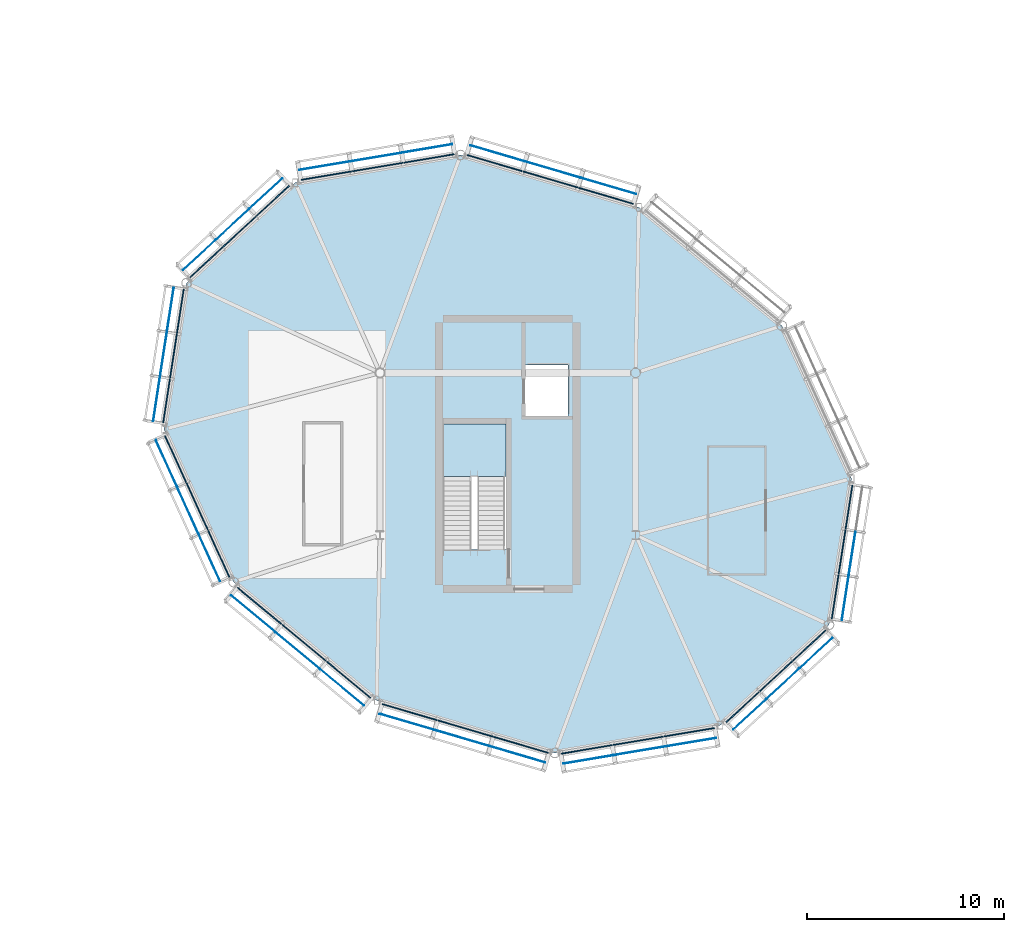
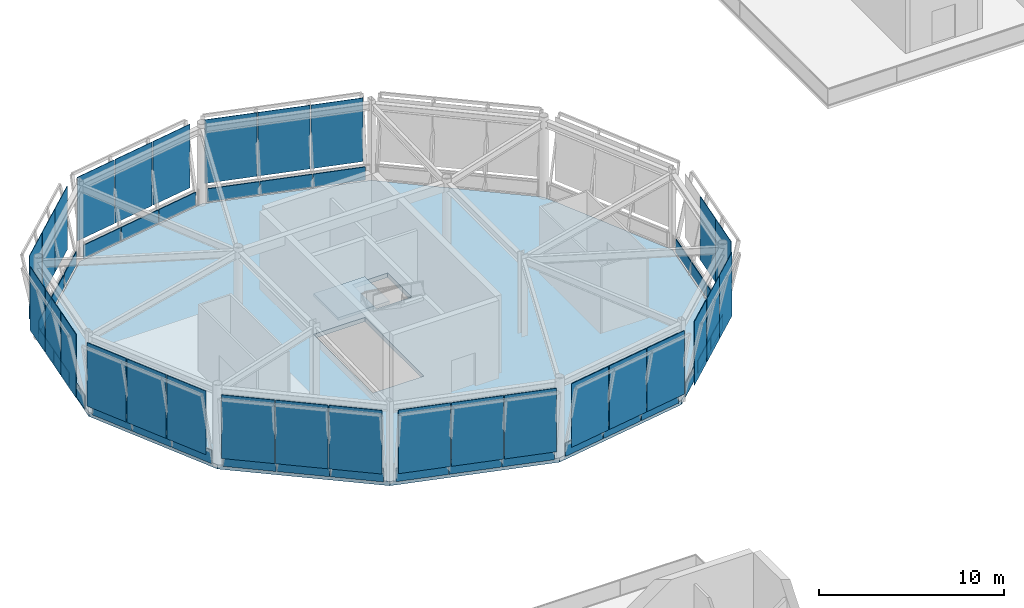
# One storey, part 63 of 90: 59 plates, 2 slabs, 11 elements without a shape of their own.
"""IFC4 building model written with IfcOpenShell, lengths in metres."""

from ifc_helpers import new_model, si_unit, direction, frame, origin, origin_2d, place, context, subcontext, project, spatial, polyline, rectangle, outline, extrude, material, layer, layer_set, type_object, element, aggregate, save


model = new_model("IFC4")

# Units and contexts
model_context = context("Model", 3, precision=1e-05, world=origin(), true_north=direction((0.0, 1.0)))
body_context = subcontext(model_context, "Body", "Model", "MODEL_VIEW")
ifc_project = project(units=[si_unit("LENGTHUNIT", "METRE"), si_unit("AREAUNIT", "SQUARE_METRE"), si_unit("VOLUMEUNIT", "CUBIC_METRE"), si_unit("PLANEANGLEUNIT", "RADIAN"), si_unit("MASSUNIT", "GRAM", prefix="KILO")], contexts=[model_context])

# Site, building, storey
site_placement = place(None, origin())
site = spatial("IfcSite", under=ifc_project, at=site_placement, CompositionType="ELEMENT")
building_placement = place(site_placement, origin())
building = spatial("IfcBuilding", under=site, at=building_placement, Name="Linyun Crest Stadium", CompositionType="ELEMENT")
storey_placement = place(building_placement, frame((0.0, 0.0, 21.0)))
storey = spatial("IfcBuildingStorey", under=building, at=storey_placement, Name="L05", CompositionType="ELEMENT", Elevation=21.0)

# Slab
ifc_material_1 = material(Name="Concrete C40", Category="concrete")
ifc_layer_1 = layer(ifc_material_1, 0.280029296875)
ifc_layer_set_1 = layer_set([ifc_layer_1], Name="Concrete C40")
slab_type_1 = type_object("IfcSlabType", Name="FS05", PredefinedType="FLOOR", material=ifc_layer_set_1)
slab_1_placement = place(storey_placement, frame((0.0, 0.0, -0.280029296875)))
element("IfcSlab", 1, at=slab_1_placement, inside=storey, type_object=slab_type_1, Name="Slab FS05 V5 L05 51", PredefinedType="FLOOR", context=body_context, shape_type="SweptSolid", body=[
    extrude(outline(polyline([(-57.1650390625, 75.93994140625), (-56.02099609375, 83.3720703125), (-59.55908203125, 91.139892578125), (-66.833984375, 97.1630859375), (-75.89404296875, 99.825927734375), (-84.31298828125, 98.416015625), (-89.8349609375, 93.31005859375), (-90.97900390625, 85.8779296875), (-87.44091796875, 78.110107421875), (-80.166015625, 72.0869140625), (-71.10595703125, 69.424072265625), (-62.68701171875, 70.833984375), (-57.1650390625, 75.93994140625)]), holes=[polyline([(-76.800048828125, 79.77001953125), (-76.800048828125, 86.14990234375), (-73.60009765625, 86.14990234375), (-73.60009765625, 79.77001953125), (-76.800048828125, 79.77001953125)]), polyline([(-72.64990234375, 86.550048828125), (-72.64990234375, 89.14990234375), (-70.449951171875, 89.14990234375), (-70.449951171875, 86.550048828125), (-72.64990234375, 86.550048828125)])]), origin(), (0.0, 0.0, 1.0), 0.280029296875),
])

# Curtain wall, plates
ifc_material_2 = material(Name="Verdigris steel and low-E curtain wall assembly", Category="steel")
curtain_wall_type = type_object("IfcCurtainWallType", Name="MCW04", PredefinedType="NOTDEFINED", material=ifc_material_2)
curtain_wall_1_placement = place(storey_placement, origin())
curtain_wall_1 = element("IfcCurtainWall", 2, at=curtain_wall_1_placement, inside=storey, type_object=curtain_wall_type, Name="CWR-013", PredefinedType="NOTDEFINED")
ifc_material_3 = material(Name="Acoustic laminated low-E broadcast glass", Category="glass")
ifc_layer_2 = layer(ifc_material_3, 0.030029296875)
ifc_layer_set_2 = layer_set([ifc_layer_2], Name="Acoustic laminated low-E broadcast glass")
plate_type_1 = type_object("IfcPlateType", Name="GP02", PredefinedType="CURTAIN_PANEL", material=ifc_layer_set_2)
plate_1_placement = place(storey_placement, frame((-56.343994140625, 77.283935546875, 0.88232421875), z_axis=(0.0, 0.0, 1.0), x_axis=(0.152054385169, 0.988372128275, 0.0)))
plate_1 = element("IfcPlate", 3, at=plate_1_placement, type_object=plate_type_1, Name="CWR-013 panel 1.2", PredefinedType="CURTAIN_PANEL", context=body_context, shape_type="SweptSolid", body=[
    extrude(rectangle(XDim=2.256103515625, YDim=0.030029296875, at=origin_2d()), origin(), (0.0, 0.0, 1.0), 4.1953125),
])
plate_2_placement = place(storey_placement, frame((-55.993896484375, 79.56396484375, 0.88232421875), z_axis=(0.0, 0.0, 1.0), x_axis=(0.152054385169, 0.988372128275, 0.0)))
plate_2 = element("IfcPlate", 4, at=plate_2_placement, type_object=plate_type_1, Name="CWR-013 panel 2.2", PredefinedType="CURTAIN_PANEL", context=body_context, shape_type="SweptSolid", body=[
    extrude(rectangle(XDim=2.256103515625, YDim=0.030029296875, at=origin_2d()), origin(), (0.0, 0.0, 1.0), 4.1953125),
])

curtain_wall_2_placement = place(storey_placement, origin())
curtain_wall_2 = element("IfcCurtainWall", 5, at=curtain_wall_2_placement, inside=storey, type_object=curtain_wall_type, Name="CWR-016", PredefinedType="NOTDEFINED")
plate_3_placement = place(storey_placement, frame((-68.364990234375, 98.2451171875, 0.88232421875), z_axis=(0.0, 0.0, 1.0), x_axis=(-0.959437077917, 0.281922850294, 0.0)))
plate_3 = element("IfcPlate", 6, at=plate_3_placement, type_object=plate_type_1, Name="CWR-016 panel 1.2", PredefinedType="CURTAIN_PANEL", context=body_context, shape_type="SweptSolid", body=[
    extrude(rectangle(XDim=2.897705078125, YDim=0.030029296875, at=origin_2d()), origin(), (0.0, 0.0, 1.0), 4.1953125),
])
plate_4_placement = place(storey_placement, frame((-71.193115234375, 99.075927734375, 0.88232421875), z_axis=(0.0, 0.0, 1.0), x_axis=(-0.959437077917, 0.281922850294, 0.0)))
plate_4 = element("IfcPlate", 7, at=plate_4_placement, type_object=plate_type_1, Name="CWR-016 panel 2.2", PredefinedType="CURTAIN_PANEL", context=body_context, shape_type="SweptSolid", body=[
    extrude(rectangle(XDim=2.897705078125, YDim=0.030029296875, at=origin_2d()), origin(), (0.0, 0.0, 1.0), 4.1953125),
])
plate_5_placement = place(storey_placement, frame((-74.02099609375, 99.906982421875, 0.88232421875), z_axis=(0.0, 0.0, 1.0), x_axis=(-0.959437077917, 0.281922850294, 0.0)))
plate_5 = element("IfcPlate", 8, at=plate_5_placement, type_object=plate_type_1, Name="CWR-016 panel 3.2", PredefinedType="CURTAIN_PANEL", context=body_context, shape_type="SweptSolid", body=[
    extrude(rectangle(XDim=2.897705078125, YDim=0.030029296875, at=origin_2d()), origin(), (0.0, 0.0, 1.0), 4.1953125),
])

curtain_wall_3_placement = place(storey_placement, origin())
curtain_wall_3 = element("IfcCurtainWall", 9, at=curtain_wall_3_placement, inside=storey, type_object=curtain_wall_type, Name="CWR-017", PredefinedType="NOTDEFINED")
plate_6_placement = place(storey_placement, frame((-77.594970703125, 100.156005859375, 0.88232421875), z_axis=(0.0, 0.0, 1.0), x_axis=(-0.986282720763, -0.165064819767, 0.0)))
plate_6 = element("IfcPlate", 10, at=plate_6_placement, type_object=plate_type_1, Name="CWR-017 panel 1.2", PredefinedType="CURTAIN_PANEL", context=body_context, shape_type="SweptSolid", body=[
    extrude(rectangle(XDim=2.59521484375, YDim=0.030029296875, at=origin_2d()), origin(), (0.0, 0.0, 1.0), 4.1953125),
])
plate_7_placement = place(storey_placement, frame((-80.2041015625, 99.718994140625, 0.88232421875), z_axis=(0.0, 0.0, 1.0), x_axis=(-0.986282720763, -0.165064819767, 0.0)))
plate_7 = element("IfcPlate", 11, at=plate_7_placement, type_object=plate_type_1, Name="CWR-017 panel 2.2", PredefinedType="CURTAIN_PANEL", context=body_context, shape_type="SweptSolid", body=[
    extrude(rectangle(XDim=2.59521484375, YDim=0.030029296875, at=origin_2d()), origin(), (0.0, 0.0, 1.0), 4.1953125),
])
plate_8_placement = place(storey_placement, frame((-82.81298828125, 99.281982421875, 0.88232421875), z_axis=(0.0, 0.0, 1.0), x_axis=(-0.986282720763, -0.165064819767, 0.0)))
plate_8 = element("IfcPlate", 12, at=plate_8_placement, type_object=plate_type_1, Name="CWR-017 panel 3.2", PredefinedType="CURTAIN_PANEL", context=body_context, shape_type="SweptSolid", body=[
    extrude(rectangle(XDim=2.59521484375, YDim=0.030029296875, at=origin_2d()), origin(), (0.0, 0.0, 1.0), 4.1953125),
])

curtain_wall_4_placement = place(storey_placement, origin())
curtain_wall_4 = element("IfcCurtainWall", 13, at=curtain_wall_4_placement, inside=storey, type_object=curtain_wall_type, Name="CWR-018", PredefinedType="NOTDEFINED")
plate_9_placement = place(storey_placement, frame((-85.7919921875, 97.8740234375, 0.88232421875), z_axis=(0.0, 0.0, 1.0), x_axis=(-0.734298814372, -0.678826377811, 0.0)))
plate_9 = element("IfcPlate", 14, at=plate_9_placement, type_object=plate_type_1, Name="CWR-018 panel 1.2", PredefinedType="CURTAIN_PANEL", context=body_context, shape_type="SweptSolid", body=[
    extrude(rectangle(XDim=2.2568359375, YDim=0.030029296875, at=origin_2d()), origin(), (0.0, 0.0, 1.0), 4.1953125),
])
plate_10_placement = place(storey_placement, frame((-87.486083984375, 96.30810546875, 0.88232421875), z_axis=(0.0, 0.0, 1.0), x_axis=(-0.734298814372, -0.678826377811, 0.0)))
plate_10 = element("IfcPlate", 15, at=plate_10_placement, type_object=plate_type_1, Name="CWR-018 panel 2.2", PredefinedType="CURTAIN_PANEL", context=body_context, shape_type="SweptSolid", body=[
    extrude(rectangle(XDim=2.2568359375, YDim=0.030029296875, at=origin_2d()), origin(), (0.0, 0.0, 1.0), 4.1953125),
])
plate_11_placement = place(storey_placement, frame((-89.179931640625, 94.741943359375, 0.88232421875), z_axis=(0.0, 0.0, 1.0), x_axis=(-0.734298814372, -0.678826377811, 0.0)))
plate_11 = element("IfcPlate", 16, at=plate_11_placement, type_object=plate_type_1, Name="CWR-018 panel 3.2", PredefinedType="CURTAIN_PANEL", context=body_context, shape_type="SweptSolid", body=[
    extrude(rectangle(XDim=2.2568359375, YDim=0.030029296875, at=origin_2d()), origin(), (0.0, 0.0, 1.0), 4.1953125),
])

curtain_wall_5_placement = place(storey_placement, origin())
curtain_wall_5 = element("IfcCurtainWall", 17, at=curtain_wall_5_placement, inside=storey, type_object=curtain_wall_type, Name="CWR-019", PredefinedType="NOTDEFINED")
plate_12_placement = place(storey_placement, frame((-90.656005859375, 91.966064453125, 0.88232421875), z_axis=(0.0, 0.0, 1.0), x_axis=(-0.152054385169, -0.988372128275, 0.0)))
plate_12 = element("IfcPlate", 18, at=plate_12_placement, type_object=plate_type_1, Name="CWR-019 panel 1.2", PredefinedType="CURTAIN_PANEL", context=body_context, shape_type="SweptSolid", body=[
    extrude(rectangle(XDim=2.256103515625, YDim=0.030029296875, at=origin_2d()), origin(), (0.0, 0.0, 1.0), 4.1953125),
])
plate_13_placement = place(storey_placement, frame((-91.006103515625, 89.68603515625, 0.88232421875), z_axis=(0.0, 0.0, 1.0), x_axis=(-0.152054385169, -0.988372128275, 0.0)))
plate_13 = element("IfcPlate", 19, at=plate_13_placement, type_object=plate_type_1, Name="CWR-019 panel 2.2", PredefinedType="CURTAIN_PANEL", context=body_context, shape_type="SweptSolid", body=[
    extrude(rectangle(XDim=2.256103515625, YDim=0.030029296875, at=origin_2d()), origin(), (0.0, 0.0, 1.0), 4.1953125),
])
plate_14_placement = place(storey_placement, frame((-91.35693359375, 87.406982421875, 0.88232421875), z_axis=(0.0, 0.0, 1.0), x_axis=(-0.152054385169, -0.988372128275, 0.0)))
plate_14 = element("IfcPlate", 20, at=plate_14_placement, type_object=plate_type_1, Name="CWR-019 panel 3.2", PredefinedType="CURTAIN_PANEL", context=body_context, shape_type="SweptSolid", body=[
    extrude(rectangle(XDim=2.256103515625, YDim=0.030029296875, at=origin_2d()), origin(), (0.0, 0.0, 1.0), 4.1953125),
])

curtain_wall_6_placement = place(storey_placement, origin())
curtain_wall_6 = element("IfcCurtainWall", 21, at=curtain_wall_6_placement, inside=storey, type_object=curtain_wall_type, Name="CWR-020", PredefinedType="NOTDEFINED")
plate_15_placement = place(storey_placement, frame((-90.85791015625, 84.14990234375, 0.88232421875), z_axis=(0.0, 0.0, 1.0), x_axis=(0.414566184052, -0.910019164106, 0.0)))
plate_15 = element("IfcPlate", 22, at=plate_15_placement, type_object=plate_type_1, Name="CWR-020 panel 1.2", PredefinedType="CURTAIN_PANEL", context=body_context, shape_type="SweptSolid", body=[
    extrude(rectangle(XDim=2.595458984375, YDim=0.030029296875, at=origin_2d()), origin(), (0.0, 0.0, 1.0), 4.1953125),
])
plate_16_placement = place(storey_placement, frame((-89.761962890625, 81.742919921875, 0.88232421875), z_axis=(0.0, 0.0, 1.0), x_axis=(0.414566184052, -0.910019164106, 0.0)))
plate_16 = element("IfcPlate", 23, at=plate_16_placement, type_object=plate_type_1, Name="CWR-020 panel 2.2", PredefinedType="CURTAIN_PANEL", context=body_context, shape_type="SweptSolid", body=[
    extrude(rectangle(XDim=2.595458984375, YDim=0.030029296875, at=origin_2d()), origin(), (0.0, 0.0, 1.0), 4.1953125),
])
plate_17_placement = place(storey_placement, frame((-88.6650390625, 79.3349609375, 0.88232421875), z_axis=(0.0, 0.0, 1.0), x_axis=(0.414566184052, -0.910019164106, 0.0)))
plate_17 = element("IfcPlate", 24, at=plate_17_placement, type_object=plate_type_1, Name="CWR-020 panel 3.2", PredefinedType="CURTAIN_PANEL", context=body_context, shape_type="SweptSolid", body=[
    extrude(rectangle(XDim=2.595458984375, YDim=0.030029296875, at=origin_2d()), origin(), (0.0, 0.0, 1.0), 4.1953125),
])

curtain_wall_7_placement = place(storey_placement, origin())
curtain_wall_7 = element("IfcCurtainWall", 25, at=curtain_wall_7_placement, inside=storey, type_object=curtain_wall_type, Name="CWR-021", PredefinedType="NOTDEFINED")
plate_18_placement = place(storey_placement, frame((-86.4609375, 76.511962890625, 0.88232421875), z_axis=(0.0, 0.0, 1.0), x_axis=(0.77024617165, -0.637746685651, 0.0)))
plate_18 = element("IfcPlate", 26, at=plate_18_placement, type_object=plate_type_1, Name="CWR-021 panel 1.2", PredefinedType="CURTAIN_PANEL", context=body_context, shape_type="SweptSolid", body=[
    extrude(rectangle(XDim=2.8984375, YDim=0.030029296875, at=origin_2d()), origin(), (0.0, 0.0, 1.0), 4.1953125),
])
plate_19_placement = place(storey_placement, frame((-84.18994140625, 74.632080078125, 0.88232421875), z_axis=(0.0, 0.0, 1.0), x_axis=(0.77024617165, -0.637746685651, 0.0)))
plate_19 = element("IfcPlate", 27, at=plate_19_placement, type_object=plate_type_1, Name="CWR-021 panel 2.2", PredefinedType="CURTAIN_PANEL", context=body_context, shape_type="SweptSolid", body=[
    extrude(rectangle(XDim=2.8984375, YDim=0.030029296875, at=origin_2d()), origin(), (0.0, 0.0, 1.0), 4.1953125),
])
plate_20_placement = place(storey_placement, frame((-81.9189453125, 72.7509765625, 0.88232421875), z_axis=(0.0, 0.0, 1.0), x_axis=(0.77024617165, -0.637746685651, 0.0)))
plate_20 = element("IfcPlate", 28, at=plate_20_placement, type_object=plate_type_1, Name="CWR-021 panel 3.2", PredefinedType="CURTAIN_PANEL", context=body_context, shape_type="SweptSolid", body=[
    extrude(rectangle(XDim=2.8984375, YDim=0.030029296875, at=origin_2d()), origin(), (0.0, 0.0, 1.0), 4.1953125),
])

curtain_wall_8_placement = place(storey_placement, origin())
curtain_wall_8 = element("IfcCurtainWall", 29, at=curtain_wall_8_placement, inside=storey, type_object=curtain_wall_type, Name="CWR-022", PredefinedType="NOTDEFINED")
plate_21_placement = place(storey_placement, frame((-78.635009765625, 71.0048828125, 0.88232421875), z_axis=(0.0, 0.0, 1.0), x_axis=(0.959437077917, -0.281922850294, 0.0)))
plate_21 = element("IfcPlate", 30, at=plate_21_placement, type_object=plate_type_1, Name="CWR-022 panel 1.2", PredefinedType="CURTAIN_PANEL", context=body_context, shape_type="SweptSolid", body=[
    extrude(rectangle(XDim=2.897705078125, YDim=0.030029296875, at=origin_2d()), origin(), (0.0, 0.0, 1.0), 4.1953125),
])
plate_22_placement = place(storey_placement, frame((-75.806884765625, 70.174072265625, 0.88232421875), z_axis=(0.0, 0.0, 1.0), x_axis=(0.959437077917, -0.281922850294, 0.0)))
plate_22 = element("IfcPlate", 31, at=plate_22_placement, type_object=plate_type_1, Name="CWR-022 panel 2.2", PredefinedType="CURTAIN_PANEL", context=body_context, shape_type="SweptSolid", body=[
    extrude(rectangle(XDim=2.897705078125, YDim=0.030029296875, at=origin_2d()), origin(), (0.0, 0.0, 1.0), 4.1953125),
])
plate_23_placement = place(storey_placement, frame((-72.97900390625, 69.343017578125, 0.88232421875), z_axis=(0.0, 0.0, 1.0), x_axis=(0.959437077917, -0.281922850294, 0.0)))
plate_23 = element("IfcPlate", 32, at=plate_23_placement, type_object=plate_type_1, Name="CWR-022 panel 3.2", PredefinedType="CURTAIN_PANEL", context=body_context, shape_type="SweptSolid", body=[
    extrude(rectangle(XDim=2.897705078125, YDim=0.030029296875, at=origin_2d()), origin(), (0.0, 0.0, 1.0), 4.1953125),
])

curtain_wall_9_placement = place(storey_placement, origin())
curtain_wall_9 = element("IfcCurtainWall", 33, at=curtain_wall_9_placement, inside=storey, type_object=curtain_wall_type, Name="CWR-023", PredefinedType="NOTDEFINED")
plate_24_placement = place(storey_placement, frame((-69.405029296875, 69.093994140625, 0.88232421875), z_axis=(0.0, 0.0, 1.0), x_axis=(0.986282720763, 0.165064819767, 0.0)))
plate_24 = element("IfcPlate", 34, at=plate_24_placement, type_object=plate_type_1, Name="CWR-023 panel 1.2", PredefinedType="CURTAIN_PANEL", context=body_context, shape_type="SweptSolid", body=[
    extrude(rectangle(XDim=2.59521484375, YDim=0.030029296875, at=origin_2d()), origin(), (0.0, 0.0, 1.0), 4.1953125),
])
plate_25_placement = place(storey_placement, frame((-66.7958984375, 69.531005859375, 0.88232421875), z_axis=(0.0, 0.0, 1.0), x_axis=(0.986282720763, 0.165064819767, 0.0)))
plate_25 = element("IfcPlate", 35, at=plate_25_placement, type_object=plate_type_1, Name="CWR-023 panel 2.2", PredefinedType="CURTAIN_PANEL", context=body_context, shape_type="SweptSolid", body=[
    extrude(rectangle(XDim=2.59521484375, YDim=0.030029296875, at=origin_2d()), origin(), (0.0, 0.0, 1.0), 4.1953125),
])
plate_26_placement = place(storey_placement, frame((-64.18701171875, 69.968017578125, 0.88232421875), z_axis=(0.0, 0.0, 1.0), x_axis=(0.986282720763, 0.165064819767, 0.0)))
plate_26 = element("IfcPlate", 36, at=plate_26_placement, type_object=plate_type_1, Name="CWR-023 panel 3.2", PredefinedType="CURTAIN_PANEL", context=body_context, shape_type="SweptSolid", body=[
    extrude(rectangle(XDim=2.59521484375, YDim=0.030029296875, at=origin_2d()), origin(), (0.0, 0.0, 1.0), 4.1953125),
])

curtain_wall_10_placement = place(storey_placement, origin())
curtain_wall_10 = element("IfcCurtainWall", 37, at=curtain_wall_10_placement, inside=storey, type_object=curtain_wall_type, Name="CWR-024", PredefinedType="NOTDEFINED")
plate_27_placement = place(storey_placement, frame((-61.2080078125, 71.3759765625, 0.88232421875), z_axis=(0.0, 0.0, 1.0), x_axis=(0.734298814372, 0.678826377811, 0.0)))
plate_27 = element("IfcPlate", 38, at=plate_27_placement, type_object=plate_type_1, Name="CWR-024 panel 1.2", PredefinedType="CURTAIN_PANEL", context=body_context, shape_type="SweptSolid", body=[
    extrude(rectangle(XDim=2.2568359375, YDim=0.030029296875, at=origin_2d()), origin(), (0.0, 0.0, 1.0), 4.1953125),
])
plate_28_placement = place(storey_placement, frame((-59.513916015625, 72.94189453125, 0.88232421875), z_axis=(0.0, 0.0, 1.0), x_axis=(0.734298814372, 0.678826377811, 0.0)))
plate_28 = element("IfcPlate", 39, at=plate_28_placement, type_object=plate_type_1, Name="CWR-024 panel 2.2", PredefinedType="CURTAIN_PANEL", context=body_context, shape_type="SweptSolid", body=[
    extrude(rectangle(XDim=2.2568359375, YDim=0.030029296875, at=origin_2d()), origin(), (0.0, 0.0, 1.0), 4.1953125),
])
plate_29_placement = place(storey_placement, frame((-57.820068359375, 74.508056640625, 0.88232421875), z_axis=(0.0, 0.0, 1.0), x_axis=(0.734298814372, 0.678826377811, 0.0)))
plate_29 = element("IfcPlate", 40, at=plate_29_placement, type_object=plate_type_1, Name="CWR-024 panel 3.2", PredefinedType="CURTAIN_PANEL", context=body_context, shape_type="SweptSolid", body=[
    extrude(rectangle(XDim=2.2568359375, YDim=0.030029296875, at=origin_2d()), origin(), (0.0, 0.0, 1.0), 4.1953125),
])

# Stair, slab
ifc_material_4 = material(Name="Concrete C40", Category="concrete")
stair_type = type_object("IfcStairType", Name="STA02", PredefinedType="HALF_TURN_STAIR", material=ifc_material_4)
stair_placement = place(storey_placement, origin())
stair = element("IfcStair", 41, at=stair_placement, inside=storey, type_object=stair_type, Name="Evacuation stair STR-11-L05", PredefinedType="HALF_TURN_STAIR")
ifc_material_5 = material(Name="Concrete C40", Category="concrete")
ifc_layer_3 = layer(ifc_material_5, 0.179931640625)
ifc_layer_set_3 = layer_set([ifc_layer_3], Name="Concrete C40")
slab_type_2 = type_object("IfcSlabType", Name="LS01", PredefinedType="LANDING", material=ifc_layer_set_3)
slab_2_placement = place(storey_placement, frame((0.0, 0.0, 2.52001953125)))
slab_2 = element("IfcSlab", 42, at=slab_2_placement, type_object=slab_type_2, Name="STR-11-L05 half-landing", PredefinedType="LANDING", context=body_context, shape_type="SweptSolid", body=[
    extrude(outline(polyline([(-76.800048828125, 83.489990234375), (-73.60009765625, 83.489990234375), (-73.60009765625, 86.14990234375), (-76.800048828125, 86.14990234375), (-76.800048828125, 83.489990234375)])), origin(), (0.0, 0.0, 1.0), 0.179931640625),
])
aggregate(stair, [slab_2])

# Plate
ifc_material_6 = material(Name="Verdigris enamelled metal insulated spandrel")
ifc_layer_4 = layer(ifc_material_6, 0.053955078125)
ifc_layer_set_4 = layer_set([ifc_layer_4], Name="Verdigris enamelled metal insulated spandrel")
plate_type_2 = type_object("IfcPlateType", Name="SP03", PredefinedType="SHEET", material=ifc_layer_set_4)
plate_30_placement = place(storey_placement, frame((-56.85302734375, 77.363037109375, 0.015625), z_axis=(0.0, 0.0, 1.0), x_axis=(0.152054385169, 0.988372128275, 0.0)))
plate_30 = element("IfcPlate", 43, at=plate_30_placement, type_object=plate_type_2, Name="CWR-013 panel 1.1", PredefinedType="SHEET", context=body_context, shape_type="SweptSolid", body=[
    extrude(rectangle(XDim=2.256103515625, YDim=0.053955078125, at=origin_2d()), origin(), (0.0, 0.0, 1.0), 0.868408203125),
])

plate_31_placement = place(storey_placement, frame((-56.5029296875, 79.64208984375, 0.015625), z_axis=(0.0, 0.0, 1.0), x_axis=(0.152054385169, 0.988372128275, 0.0)))
plate_31 = element("IfcPlate", 44, at=plate_31_placement, type_object=plate_type_2, Name="CWR-013 panel 2.1", PredefinedType="SHEET", context=body_context, shape_type="SweptSolid", body=[
    extrude(rectangle(XDim=2.256103515625, YDim=0.053955078125, at=origin_2d()), origin(), (0.0, 0.0, 1.0), 0.868408203125),
])

plate_32_placement = place(storey_placement, frame((-56.152099609375, 81.9208984375, 0.015625), z_axis=(0.0, 0.0, 1.0), x_axis=(0.152054385169, 0.988372128275, 0.0)))
plate_32 = element("IfcPlate", 45, at=plate_32_placement, type_object=plate_type_2, Name="CWR-013 panel 3.1", PredefinedType="SHEET", context=body_context, shape_type="SweptSolid", body=[
    extrude(rectangle(XDim=2.256103515625, YDim=0.053955078125, at=origin_2d()), origin(), (0.0, 0.0, 1.0), 0.868408203125),
])

aggregate(curtain_wall_1, [plate_30, plate_1, plate_31, plate_2, plate_32])

plate_33_placement = place(storey_placement, frame((-68.510009765625, 97.7509765625, 0.015625), z_axis=(0.0, 0.0, 1.0), x_axis=(-0.959437077917, 0.281922850294, 0.0)))
plate_33 = element("IfcPlate", 46, at=plate_33_placement, type_object=plate_type_2, Name="CWR-016 panel 1.1", PredefinedType="SHEET", context=body_context, shape_type="SweptSolid", body=[
    extrude(rectangle(XDim=2.897705078125, YDim=0.053955078125, at=origin_2d()), origin(), (0.0, 0.0, 1.0), 0.868408203125),
])

plate_34_placement = place(storey_placement, frame((-71.337890625, 98.58203125, 0.015625), z_axis=(0.0, 0.0, 1.0), x_axis=(-0.959437077917, 0.281922850294, 0.0)))
plate_34 = element("IfcPlate", 47, at=plate_34_placement, type_object=plate_type_2, Name="CWR-016 panel 2.1", PredefinedType="SHEET", context=body_context, shape_type="SweptSolid", body=[
    extrude(rectangle(XDim=2.897705078125, YDim=0.053955078125, at=origin_2d()), origin(), (0.0, 0.0, 1.0), 0.868408203125),
])

plate_35_placement = place(storey_placement, frame((-74.166015625, 99.4130859375, 0.015625), z_axis=(0.0, 0.0, 1.0), x_axis=(-0.959437077917, 0.281922850294, 0.0)))
plate_35 = element("IfcPlate", 48, at=plate_35_placement, type_object=plate_type_2, Name="CWR-016 panel 3.1", PredefinedType="SHEET", context=body_context, shape_type="SweptSolid", body=[
    extrude(rectangle(XDim=2.897705078125, YDim=0.053955078125, at=origin_2d()), origin(), (0.0, 0.0, 1.0), 0.868408203125),
])

aggregate(curtain_wall_2, [plate_33, plate_3, plate_34, plate_4, plate_35, plate_5])

plate_36_placement = place(storey_placement, frame((-77.510009765625, 99.64794921875, 0.015625), z_axis=(0.0, 0.0, 1.0), x_axis=(-0.986282720763, -0.165064819767, 0.0)))
plate_36 = element("IfcPlate", 49, at=plate_36_placement, type_object=plate_type_2, Name="CWR-017 panel 1.1", PredefinedType="SHEET", context=body_context, shape_type="SweptSolid", body=[
    extrude(rectangle(XDim=2.59521484375, YDim=0.053955078125, at=origin_2d()), origin(), (0.0, 0.0, 1.0), 0.868408203125),
])

plate_37_placement = place(storey_placement, frame((-80.118896484375, 99.2109375, 0.015625), z_axis=(0.0, 0.0, 1.0), x_axis=(-0.986282720763, -0.165064819767, 0.0)))
plate_37 = element("IfcPlate", 50, at=plate_37_placement, type_object=plate_type_2, Name="CWR-017 panel 2.1", PredefinedType="SHEET", context=body_context, shape_type="SweptSolid", body=[
    extrude(rectangle(XDim=2.59521484375, YDim=0.053955078125, at=origin_2d()), origin(), (0.0, 0.0, 1.0), 0.868408203125),
])

plate_38_placement = place(storey_placement, frame((-82.72802734375, 98.77490234375, 0.015625), z_axis=(0.0, 0.0, 1.0), x_axis=(-0.986282720763, -0.165064819767, 0.0)))
plate_38 = element("IfcPlate", 51, at=plate_38_placement, type_object=plate_type_2, Name="CWR-017 panel 3.1", PredefinedType="SHEET", context=body_context, shape_type="SweptSolid", body=[
    extrude(rectangle(XDim=2.59521484375, YDim=0.053955078125, at=origin_2d()), origin(), (0.0, 0.0, 1.0), 0.868408203125),
])

aggregate(curtain_wall_3, [plate_36, plate_6, plate_37, plate_7, plate_38, plate_8])

plate_39_placement = place(storey_placement, frame((-85.44189453125, 97.49609375, 0.015625), z_axis=(0.0, 0.0, 1.0), x_axis=(-0.734298814372, -0.678826377811, 0.0)))
plate_39 = element("IfcPlate", 52, at=plate_39_placement, type_object=plate_type_2, Name="CWR-018 panel 1.1", PredefinedType="SHEET", context=body_context, shape_type="SweptSolid", body=[
    extrude(rectangle(XDim=2.2568359375, YDim=0.053955078125, at=origin_2d()), origin(), (0.0, 0.0, 1.0), 0.868408203125),
])

plate_40_placement = place(storey_placement, frame((-87.135986328125, 95.929931640625, 0.015625), z_axis=(0.0, 0.0, 1.0), x_axis=(-0.734298814372, -0.678826377811, 0.0)))
plate_40 = element("IfcPlate", 53, at=plate_40_placement, type_object=plate_type_2, Name="CWR-018 panel 2.1", PredefinedType="SHEET", context=body_context, shape_type="SweptSolid", body=[
    extrude(rectangle(XDim=2.2568359375, YDim=0.053955078125, at=origin_2d()), origin(), (0.0, 0.0, 1.0), 0.868408203125),
])

plate_41_placement = place(storey_placement, frame((-88.830078125, 94.364013671875, 0.015625), z_axis=(0.0, 0.0, 1.0), x_axis=(-0.734298814372, -0.678826377811, 0.0)))
plate_41 = element("IfcPlate", 54, at=plate_41_placement, type_object=plate_type_2, Name="CWR-018 panel 3.1", PredefinedType="SHEET", context=body_context, shape_type="SweptSolid", body=[
    extrude(rectangle(XDim=2.2568359375, YDim=0.053955078125, at=origin_2d()), origin(), (0.0, 0.0, 1.0), 0.868408203125),
])

aggregate(curtain_wall_4, [plate_39, plate_9, plate_40, plate_10, plate_41, plate_11])

plate_42_placement = place(storey_placement, frame((-90.14697265625, 91.886962890625, 0.015625), z_axis=(0.0, 0.0, 1.0), x_axis=(-0.152054385169, -0.988372128275, 0.0)))
plate_42 = element("IfcPlate", 55, at=plate_42_placement, type_object=plate_type_2, Name="CWR-019 panel 1.1", PredefinedType="SHEET", context=body_context, shape_type="SweptSolid", body=[
    extrude(rectangle(XDim=2.256103515625, YDim=0.053955078125, at=origin_2d()), origin(), (0.0, 0.0, 1.0), 0.868408203125),
])

plate_43_placement = place(storey_placement, frame((-90.4970703125, 89.60791015625, 0.015625), z_axis=(0.0, 0.0, 1.0), x_axis=(-0.152054385169, -0.988372128275, 0.0)))
plate_43 = element("IfcPlate", 56, at=plate_43_placement, type_object=plate_type_2, Name="CWR-019 panel 2.1", PredefinedType="SHEET", context=body_context, shape_type="SweptSolid", body=[
    extrude(rectangle(XDim=2.256103515625, YDim=0.053955078125, at=origin_2d()), origin(), (0.0, 0.0, 1.0), 0.868408203125),
])

plate_44_placement = place(storey_placement, frame((-90.847900390625, 87.3291015625, 0.015625), z_axis=(0.0, 0.0, 1.0), x_axis=(-0.152054385169, -0.988372128275, 0.0)))
plate_44 = element("IfcPlate", 57, at=plate_44_placement, type_object=plate_type_2, Name="CWR-019 panel 3.1", PredefinedType="SHEET", context=body_context, shape_type="SweptSolid", body=[
    extrude(rectangle(XDim=2.256103515625, YDim=0.053955078125, at=origin_2d()), origin(), (0.0, 0.0, 1.0), 0.868408203125),
])

aggregate(curtain_wall_5, [plate_42, plate_12, plate_43, plate_13, plate_44, plate_14])

plate_45_placement = place(storey_placement, frame((-90.389892578125, 84.363037109375, 0.015625), z_axis=(0.0, 0.0, 1.0), x_axis=(0.414566184052, -0.910019164106, 0.0)))
plate_45 = element("IfcPlate", 58, at=plate_45_placement, type_object=plate_type_2, Name="CWR-020 panel 1.1", PredefinedType="SHEET", context=body_context, shape_type="SweptSolid", body=[
    extrude(rectangle(XDim=2.595458984375, YDim=0.053955078125, at=origin_2d()), origin(), (0.0, 0.0, 1.0), 0.868408203125),
])

plate_46_placement = place(storey_placement, frame((-89.29296875, 81.9560546875, 0.015625), z_axis=(0.0, 0.0, 1.0), x_axis=(0.414566184052, -0.910019164106, 0.0)))
plate_46 = element("IfcPlate", 59, at=plate_46_placement, type_object=plate_type_2, Name="CWR-020 panel 2.1", PredefinedType="SHEET", context=body_context, shape_type="SweptSolid", body=[
    extrude(rectangle(XDim=2.595458984375, YDim=0.053955078125, at=origin_2d()), origin(), (0.0, 0.0, 1.0), 0.868408203125),
])

plate_47_placement = place(storey_placement, frame((-88.197021484375, 79.549072265625, 0.015625), z_axis=(0.0, 0.0, 1.0), x_axis=(0.414566184052, -0.910019164106, 0.0)))
plate_47 = element("IfcPlate", 60, at=plate_47_placement, type_object=plate_type_2, Name="CWR-020 panel 3.1", PredefinedType="SHEET", context=body_context, shape_type="SweptSolid", body=[
    extrude(rectangle(XDim=2.595458984375, YDim=0.053955078125, at=origin_2d()), origin(), (0.0, 0.0, 1.0), 0.868408203125),
])

aggregate(curtain_wall_6, [plate_45, plate_15, plate_46, plate_16, plate_47, plate_17])

plate_48_placement = place(storey_placement, frame((-86.133056640625, 76.907958984375, 0.015625), z_axis=(0.0, 0.0, 1.0), x_axis=(0.77024617165, -0.637746685651, 0.0)))
plate_48 = element("IfcPlate", 61, at=plate_48_placement, type_object=plate_type_2, Name="CWR-021 panel 1.1", PredefinedType="SHEET", context=body_context, shape_type="SweptSolid", body=[
    extrude(rectangle(XDim=2.8984375, YDim=0.053955078125, at=origin_2d()), origin(), (0.0, 0.0, 1.0), 0.868408203125),
])

plate_49_placement = place(storey_placement, frame((-83.862060546875, 75.028076171875, 0.015625), z_axis=(0.0, 0.0, 1.0), x_axis=(0.77024617165, -0.637746685651, 0.0)))
plate_49 = element("IfcPlate", 62, at=plate_49_placement, type_object=plate_type_2, Name="CWR-021 panel 2.1", PredefinedType="SHEET", context=body_context, shape_type="SweptSolid", body=[
    extrude(rectangle(XDim=2.8984375, YDim=0.053955078125, at=origin_2d()), origin(), (0.0, 0.0, 1.0), 0.868408203125),
])

plate_50_placement = place(storey_placement, frame((-81.591064453125, 73.14794921875, 0.015625), z_axis=(0.0, 0.0, 1.0), x_axis=(0.77024617165, -0.637746685651, 0.0)))
plate_50 = element("IfcPlate", 63, at=plate_50_placement, type_object=plate_type_2, Name="CWR-021 panel 3.1", PredefinedType="SHEET", context=body_context, shape_type="SweptSolid", body=[
    extrude(rectangle(XDim=2.8984375, YDim=0.053955078125, at=origin_2d()), origin(), (0.0, 0.0, 1.0), 0.868408203125),
])

aggregate(curtain_wall_7, [plate_48, plate_18, plate_49, plate_19, plate_50, plate_20])

plate_51_placement = place(storey_placement, frame((-78.489990234375, 71.4990234375, 0.015625), z_axis=(0.0, 0.0, 1.0), x_axis=(0.959437077917, -0.281922850294, 0.0)))
plate_51 = element("IfcPlate", 64, at=plate_51_placement, type_object=plate_type_2, Name="CWR-022 panel 1.1", PredefinedType="SHEET", context=body_context, shape_type="SweptSolid", body=[
    extrude(rectangle(XDim=2.897705078125, YDim=0.053955078125, at=origin_2d()), origin(), (0.0, 0.0, 1.0), 0.868408203125),
])

plate_52_placement = place(storey_placement, frame((-75.662109375, 70.66796875, 0.015625), z_axis=(0.0, 0.0, 1.0), x_axis=(0.959437077917, -0.281922850294, 0.0)))
plate_52 = element("IfcPlate", 65, at=plate_52_placement, type_object=plate_type_2, Name="CWR-022 panel 2.1", PredefinedType="SHEET", context=body_context, shape_type="SweptSolid", body=[
    extrude(rectangle(XDim=2.897705078125, YDim=0.053955078125, at=origin_2d()), origin(), (0.0, 0.0, 1.0), 0.868408203125),
])

plate_53_placement = place(storey_placement, frame((-72.833984375, 69.8369140625, 0.015625), z_axis=(0.0, 0.0, 1.0), x_axis=(0.959437077917, -0.281922850294, 0.0)))
plate_53 = element("IfcPlate", 66, at=plate_53_placement, type_object=plate_type_2, Name="CWR-022 panel 3.1", PredefinedType="SHEET", context=body_context, shape_type="SweptSolid", body=[
    extrude(rectangle(XDim=2.897705078125, YDim=0.053955078125, at=origin_2d()), origin(), (0.0, 0.0, 1.0), 0.868408203125),
])

aggregate(curtain_wall_8, [plate_51, plate_21, plate_52, plate_22, plate_53, plate_23])

plate_54_placement = place(storey_placement, frame((-69.489990234375, 69.60205078125, 0.015625), z_axis=(0.0, 0.0, 1.0), x_axis=(0.986282720763, 0.165064819767, 0.0)))
plate_54 = element("IfcPlate", 67, at=plate_54_placement, type_object=plate_type_2, Name="CWR-023 panel 1.1", PredefinedType="SHEET", context=body_context, shape_type="SweptSolid", body=[
    extrude(rectangle(XDim=2.59521484375, YDim=0.053955078125, at=origin_2d()), origin(), (0.0, 0.0, 1.0), 0.868408203125),
])

plate_55_placement = place(storey_placement, frame((-66.881103515625, 70.0390625, 0.015625), z_axis=(0.0, 0.0, 1.0), x_axis=(0.986282720763, 0.165064819767, 0.0)))
plate_55 = element("IfcPlate", 68, at=plate_55_placement, type_object=plate_type_2, Name="CWR-023 panel 2.1", PredefinedType="SHEET", context=body_context, shape_type="SweptSolid", body=[
    extrude(rectangle(XDim=2.59521484375, YDim=0.053955078125, at=origin_2d()), origin(), (0.0, 0.0, 1.0), 0.868408203125),
])

plate_56_placement = place(storey_placement, frame((-64.27197265625, 70.47509765625, 0.015625), z_axis=(0.0, 0.0, 1.0), x_axis=(0.986282720763, 0.165064819767, 0.0)))
plate_56 = element("IfcPlate", 69, at=plate_56_placement, type_object=plate_type_2, Name="CWR-023 panel 3.1", PredefinedType="SHEET", context=body_context, shape_type="SweptSolid", body=[
    extrude(rectangle(XDim=2.59521484375, YDim=0.053955078125, at=origin_2d()), origin(), (0.0, 0.0, 1.0), 0.868408203125),
])

aggregate(curtain_wall_9, [plate_54, plate_24, plate_55, plate_25, plate_56, plate_26])

plate_57_placement = place(storey_placement, frame((-61.55810546875, 71.75390625, 0.015625), z_axis=(0.0, 0.0, 1.0), x_axis=(0.734298814372, 0.678826377811, 0.0)))
plate_57 = element("IfcPlate", 70, at=plate_57_placement, type_object=plate_type_2, Name="CWR-024 panel 1.1", PredefinedType="SHEET", context=body_context, shape_type="SweptSolid", body=[
    extrude(rectangle(XDim=2.2568359375, YDim=0.053955078125, at=origin_2d()), origin(), (0.0, 0.0, 1.0), 0.868408203125),
])

plate_58_placement = place(storey_placement, frame((-59.864013671875, 73.320068359375, 0.015625), z_axis=(0.0, 0.0, 1.0), x_axis=(0.734298814372, 0.678826377811, 0.0)))
plate_58 = element("IfcPlate", 71, at=plate_58_placement, type_object=plate_type_2, Name="CWR-024 panel 2.1", PredefinedType="SHEET", context=body_context, shape_type="SweptSolid", body=[
    extrude(rectangle(XDim=2.2568359375, YDim=0.053955078125, at=origin_2d()), origin(), (0.0, 0.0, 1.0), 0.868408203125),
])

plate_59_placement = place(storey_placement, frame((-58.169921875, 74.885986328125, 0.015625), z_axis=(0.0, 0.0, 1.0), x_axis=(0.734298814372, 0.678826377811, 0.0)))
plate_59 = element("IfcPlate", 72, at=plate_59_placement, type_object=plate_type_2, Name="CWR-024 panel 3.1", PredefinedType="SHEET", context=body_context, shape_type="SweptSolid", body=[
    extrude(rectangle(XDim=2.2568359375, YDim=0.053955078125, at=origin_2d()), origin(), (0.0, 0.0, 1.0), 0.868408203125),
])

aggregate(curtain_wall_10, [plate_57, plate_27, plate_58, plate_28, plate_59, plate_29])

save(model, "model.ifc")
